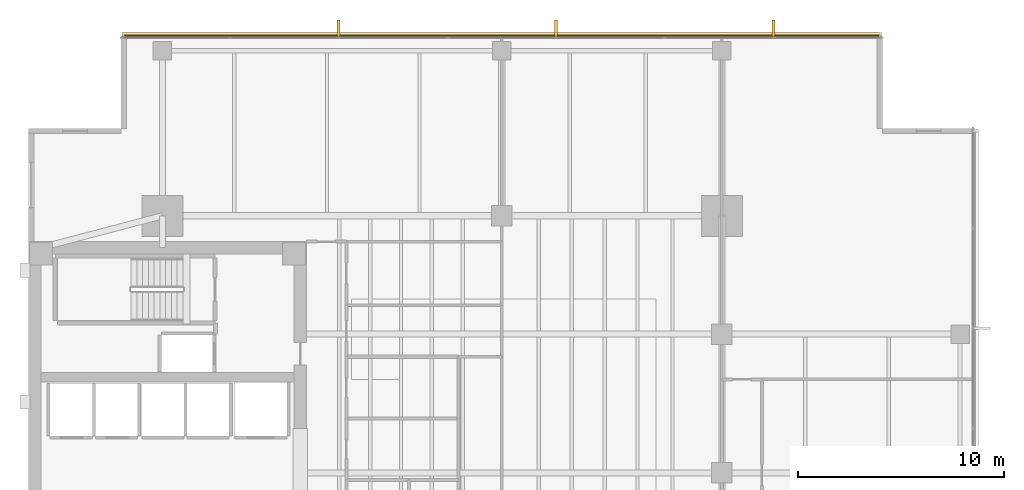
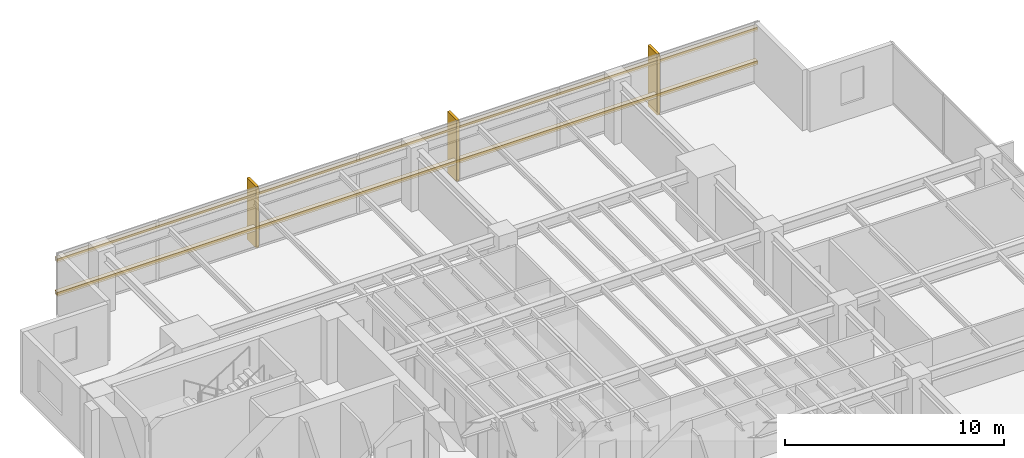
# One storey, part 15 of 15: 5 coverings, 2 shading devices.
"""IFC4 building model written with IfcOpenShell, lengths in metres."""

from ifc_helpers import new_model, si_unit, direction, frame, origin, origin_2d, place, context, subcontext, project, spatial, polyline, rectangle, outline, extrude, material, layer, layer_set, material_profile, profile_set, type_object, element, save


model = new_model("IFC4")

# Units and contexts
model_context = context("Model", 3, precision=1e-05, world=origin(), true_north=direction((0.0, 1.0)))
body_context = subcontext(model_context, "Body", "Model", "MODEL_VIEW")
ifc_project = project(units=[si_unit("LENGTHUNIT", "METRE"), si_unit("AREAUNIT", "SQUARE_METRE"), si_unit("VOLUMEUNIT", "CUBIC_METRE"), si_unit("PLANEANGLEUNIT", "RADIAN"), si_unit("MASSUNIT", "GRAM", prefix="KILO")], contexts=[model_context])

# Site, building, storey
site_placement = place(None, origin())
site = spatial("IfcSite", under=ifc_project, at=site_placement, CompositionType="ELEMENT")
building_placement = place(site_placement, origin())
building = spatial("IfcBuilding", under=site, at=building_placement, Name="Kinhvarn Gate Tower", CompositionType="ELEMENT")
storey_placement = place(building_placement, frame((0.0, 0.0, 112.89990234375)))
storey = spatial("IfcBuildingStorey", under=building, at=storey_placement, Name="L29", CompositionType="ELEMENT", Elevation=112.89990234375)

# Coverings
ifc_material = material(Name="Fired architectural terracotta", Category="masonry")
ifc_layer_1 = layer(ifc_material, 0.239990234375)
ifc_layer_set_1 = layer_set([ifc_layer_1], Name="Fired architectural terracotta")
covering_type_1 = type_object("IfcCoveringType", Name="COV-BAG-220", PredefinedType="CLADDING", material=ifc_layer_set_1)
for number, where, name in (
    (1, (0.0, 0.0, 0.940185546875), "Terracotta Horizontal Sunscreen Band TBG-220 (L29)"),
    (2, (0.0, 0.0, 2.81005859375), "Terracotta Horizontal Sunscreen Band TBG-220 (L29)"),
):
    element("IfcCovering", number, at=place(storey_placement, frame(where)), inside=storey, type_object=covering_type_1, Name=name, PredefinedType="CLADDING", context=body_context, shape_type="SweptSolid", body=[
        extrude(outline(polyline([(45.9599609375, 46.429931640625), (9.0400390625, 46.429931640625), (9.0400390625, 46.669921875), (45.9599609375, 46.669921875), (45.9599609375, 46.429931640625)])), origin(), (0.0, 0.0, 1.0), 0.219970703125),
    ])
ifc_layer_2 = layer(ifc_material, 0.139892578125)
ifc_layer_set_2 = layer_set([ifc_layer_2], Name="Fired architectural terracotta")
covering_type_2 = type_object("IfcCoveringType", Name="COV-FIN-850", PredefinedType="CLADDING", material=ifc_layer_set_2)
covering_1_placement = place(storey_placement, frame((0.0, 0.0, -0.02001953125)))
element("IfcCovering", 3, at=covering_1_placement, inside=storey, type_object=covering_type_2, Name="Vertical Terracotta Expressive Fin TFN-850 (L29)", PredefinedType="CLADDING", context=body_context, shape_type="SweptSolid", body=[
    extrude(outline(polyline([(40.7841796875, 46.419921875), (40.644287109375, 46.419921875), (40.644287109375, 47.27001953125), (40.7841796875, 47.27001953125), (40.7841796875, 46.419921875)])), origin(), (0.0, 0.0, 1.0), 3.41015625),
])
covering_2_placement = place(storey_placement, frame((0.0, 0.0, -0.02001953125)))
element("IfcCovering", 4, at=covering_2_placement, inside=storey, type_object=covering_type_2, Name="Vertical Terracotta Expressive Fin TFN-850 (L29)", PredefinedType="CLADDING", context=body_context, shape_type="SweptSolid", body=[
    extrude(outline(polyline([(30.212890625, 46.419921875), (30.072998046875, 46.419921875), (30.072998046875, 47.27001953125), (30.212890625, 47.27001953125), (30.212890625, 46.419921875)])), origin(), (0.0, 0.0, 1.0), 3.41015625),
])
covering_3_placement = place(storey_placement, frame((0.0, 0.0, -0.02001953125)))
element("IfcCovering", 5, at=covering_3_placement, inside=storey, type_object=covering_type_2, Name="Vertical Terracotta Expressive Fin TFN-850 (L29)", PredefinedType="CLADDING", context=body_context, shape_type="SweptSolid", body=[
    extrude(outline(polyline([(19.641357421875, 46.419921875), (19.50146484375, 46.419921875), (19.50146484375, 47.27001953125), (19.641357421875, 47.27001953125), (19.641357421875, 46.419921875)])), origin(), (0.0, 0.0, 1.0), 3.41015625),
])

# Shading devices
ifc_material_profile = material_profile(ifc_material, rectangle(XDim=0.050048828125, YDim=0.1201171875, at=origin_2d()), Name="TC 50x120")
ifc_profile_set = profile_set([ifc_material_profile], Name="Fired architectural terracotta")
shading_device_type = type_object("IfcShadingDeviceType", Name="SHD-BAG-140", PredefinedType="USERDEFINED", material=ifc_profile_set)
for number, where, z_axis, x_axis, name in (
    (6, (45.9599609375, 46.5, 1.050048828125), (-1.0, 0.0, 0.0), (0.0, -1.0, 0.0), "Upper Tower Terracotta Baguette Screen Rod 50x120 mm (L29)"),
    (7, (45.9599609375, 46.5, 2.920166015625), (-1.0, 0.0, 0.0), (0.0, -1.0, 0.0), "Upper Tower Terracotta Baguette Screen Rod 50x120 mm (L29)"),
):
    element("IfcShadingDevice", number, at=place(storey_placement, frame(where, z_axis=z_axis, x_axis=x_axis)), inside=storey, type_object=shading_device_type, Name=name, ObjectType="BAGUETTE", PredefinedType="USERDEFINED", context=body_context, shape_type="SweptSolid", body=[
        extrude(rectangle(XDim=0.050048828125, YDim=0.1201171875, at=origin_2d()), origin(), (0.0, 0.0, 1.0), 36.919921875),
    ])

save(model, "model.ifc")
